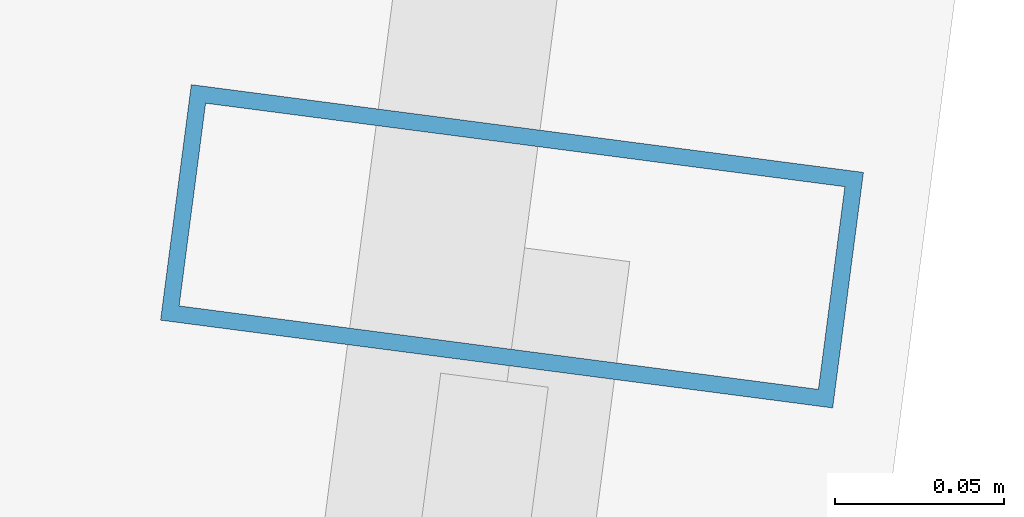
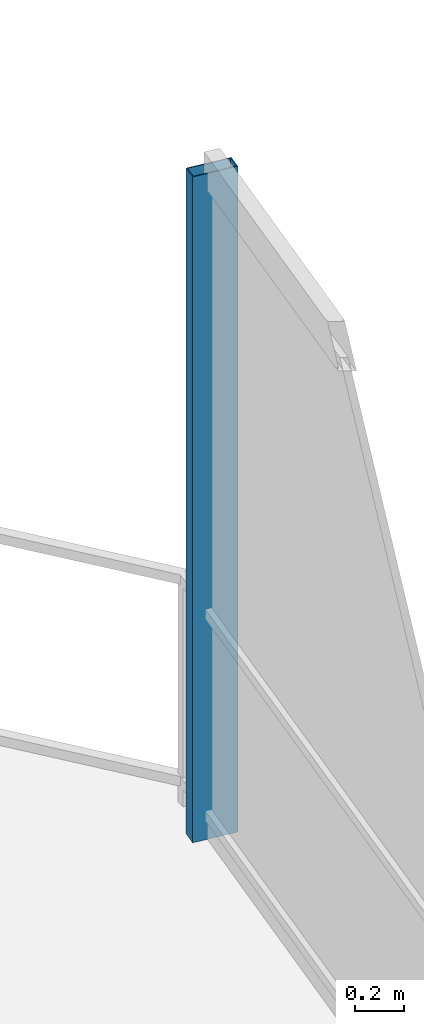
# One storey, part 14 of 20: 1 member, 1 element without a shape of its own.
"""IFC4 building model written with IfcOpenShell, lengths in metres."""

from ifc_helpers import new_model, si_unit, direction, frame, origin, origin_2d, place, context, subcontext, project, spatial, hollow_rectangle, extrude, material, layer, layer_set, material_profile, profile_set, type_object, element, aggregate, save


model = new_model("IFC4")

# Units and contexts
model_context = context("Model", 3, precision=1e-05, world=origin(), true_north=direction((0.0, 1.0)))
body_context = subcontext(model_context, "Body", "Model", "MODEL_VIEW")
ifc_project = project(units=[si_unit("LENGTHUNIT", "METRE"), si_unit("AREAUNIT", "SQUARE_METRE"), si_unit("VOLUMEUNIT", "CUBIC_METRE"), si_unit("PLANEANGLEUNIT", "RADIAN"), si_unit("MASSUNIT", "GRAM", prefix="KILO")], contexts=[model_context])

# Site, building, storey
site_placement = place(None, origin())
site = spatial("IfcSite", under=ifc_project, at=site_placement, CompositionType="ELEMENT")
building_placement = place(site_placement, origin())
building = spatial("IfcBuilding", under=site, at=building_placement, Name="Qarnah Convention Tower", CompositionType="ELEMENT")
storey_placement = place(building_placement, frame((0.0, 0.0, 150.89990234375)))
storey = spatial("IfcBuildingStorey", under=building, at=storey_placement, Name="L40", CompositionType="ELEMENT", Elevation=150.89990234375)

# Curtain wall, member
ifc_material_1 = material(Name="Tempered Low-E dark glass", Category="glass")
ifc_layer = layer(ifc_material_1, 0.172119140625)
ifc_layer_set = layer_set([ifc_layer], Name="Tempered Low-E dark glass")
curtain_wall_type = type_object("IfcCurtainWallType", Name="CWS-03", PredefinedType="NOTDEFINED", material=ifc_layer_set)
curtain_wall_placement = place(storey_placement, origin())
curtain_wall = element("IfcCurtainWall", 1, at=curtain_wall_placement, inside=storey, type_object=curtain_wall_type, Name="L40 unitised curtain wall CW-L40-F2", PredefinedType="NOTDEFINED")
ifc_material_2 = material(Name="Black anodised aluminium", Category="aluminium")
ifc_material_profile = material_profile(ifc_material_2, hollow_rectangle(XDim=0.070068359375, YDim=0.199951171875, WallThickness=0.0048828125, at=origin_2d()), Name="MUL-70X200")
ifc_profile_set = profile_set([ifc_material_profile], Name="Black anodised aluminium")
member_type = type_object("IfcMemberType", Name="MUL-T3", PredefinedType="MULLION", material=ifc_profile_set)
member_placement = place(storey_placement, frame((56.3759765625, 39.52099609375, 0.0), z_axis=(0.0, 0.0, 1.0), x_axis=(-0.129476096574, -0.99158254342, 0.0)))
member = element("IfcMember", 2, at=member_placement, type_object=member_type, Name="CW-L40-F2 mullion 1", PredefinedType="MULLION", context=body_context, shape_type="SweptSolid", body=[
    extrude(hollow_rectangle(XDim=0.070068359375, YDim=0.199951171875, WallThickness=0.0048828125, at=origin_2d()), origin(), (0.0, 0.0, 1.0), 3.320068359375),
])
aggregate(curtain_wall, [member])

save(model, "model.ifc")
